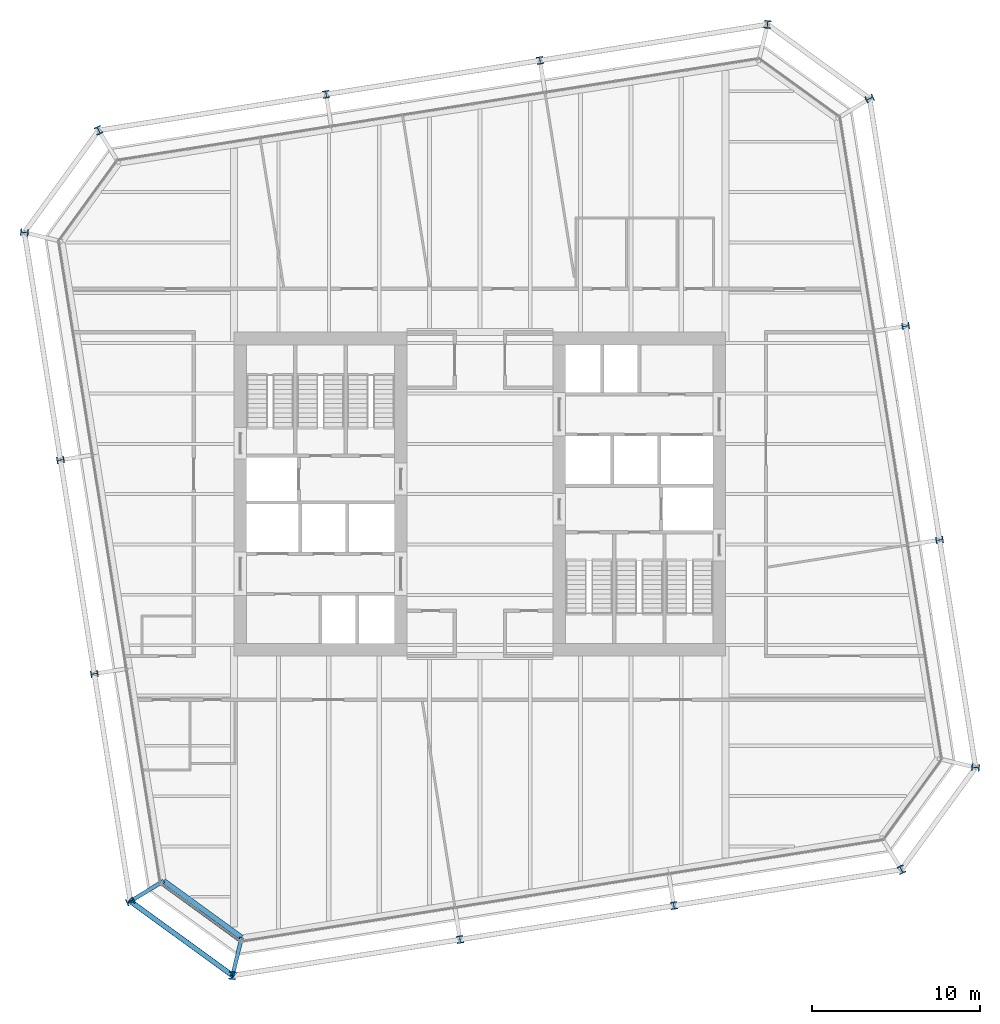
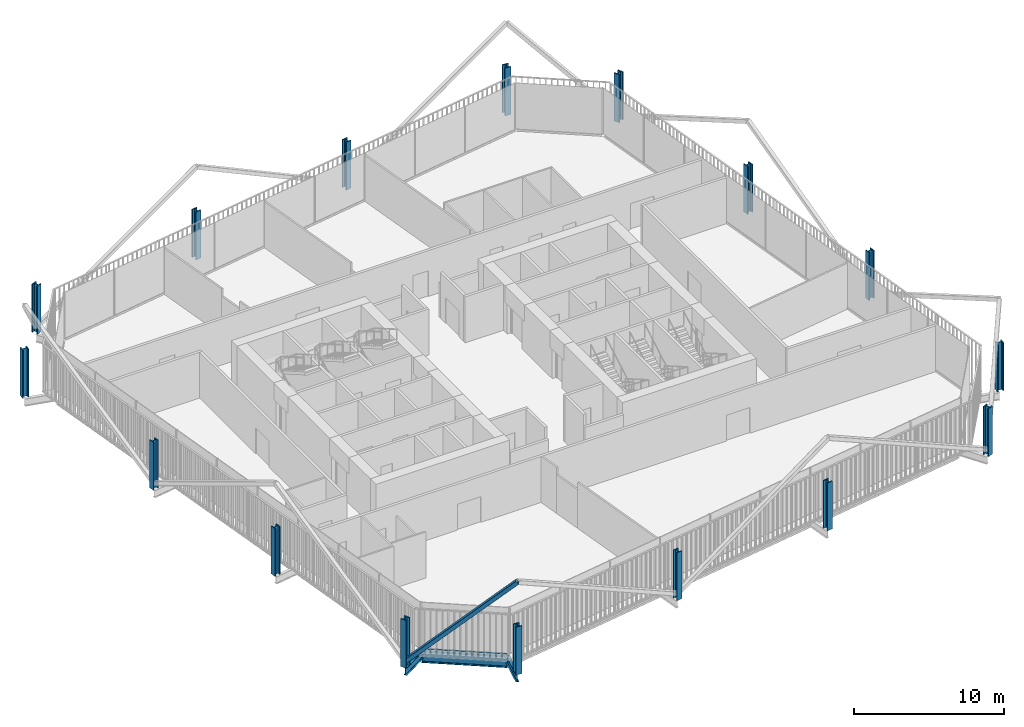
# One storey, part 1 of 22: 16 columns, 3 beams, 2 members, 1 element without a shape of its own.
"""IFC4 building model written with IfcOpenShell, lengths in metres."""

from ifc_helpers import new_model, si_unit, direction, frame, origin, origin_2d, place, context, subcontext, project, spatial, rectangle, hollow_rectangle, i_section, extrude, material, layer, layer_set, material_profile, profile_set, type_object, element, aggregate, save


model = new_model("IFC4")

# Units and contexts
model_context = context("Model", 3, precision=1e-05, world=origin(), true_north=direction((0.0, 1.0)))
body_context = subcontext(model_context, "Body", "Model", "MODEL_VIEW")
ifc_project = project(units=[si_unit("LENGTHUNIT", "METRE"), si_unit("AREAUNIT", "SQUARE_METRE"), si_unit("VOLUMEUNIT", "CUBIC_METRE"), si_unit("PLANEANGLEUNIT", "RADIAN"), si_unit("MASSUNIT", "GRAM", prefix="KILO")], contexts=[model_context])

# Site, building, storey
site_placement = place(None, origin())
site = spatial("IfcSite", under=ifc_project, at=site_placement, CompositionType="ELEMENT")
building_placement = place(site_placement, origin())
building = spatial("IfcBuilding", under=site, at=building_placement, Name="Millrace Tower", CompositionType="ELEMENT")
storey_placement = place(building_placement, frame((0.0, 0.0, 160.699951171875)))
storey = spatial("IfcBuildingStorey", under=building, at=storey_placement, Name="L36", CompositionType="ELEMENT", Elevation=160.699951171875)

# Columns
ifc_material_1 = material(Name="Steel ASTM A913 Grade 65", Category="steel")
ifc_material_profile_1 = material_profile(ifc_material_1, i_section(OverallWidth=0.419189453125, OverallDepth=0.45458984375, WebThickness=0.042236328125, FlangeThickness=0.067626953125, FilletRadius=0.01513671875, at=origin_2d()))
ifc_profile_set_1 = profile_set([ifc_material_profile_1], Name="Steel ASTM A913 Grade 65")
column_type_1 = type_object("IfcColumnType", Name="Exoskeleton column W14x370", PredefinedType="COLUMN", material=ifc_profile_set_1)
for number, where, z_axis, x_axis, name in (
    (1, (-1.181396484375, -26.545166015625, 0.0), (0.0, 0.0, 1.0), (0.987688339156, 0.156434474125, 0.0), "COL-C-L36-X03"),
    (2, (11.5595703125, -24.527099609375, 0.0), (0.0, 0.0, 1.0), (0.987688338239, 0.156434479917, 0.0), "COL-C-L36-X04"),
    (3, (27.39501953125, -2.7314453125, 0.0), (0.0, 0.0, 1.0), (-0.156434474125, 0.987688339156, 0.0), "COL-C-L36-X07"),
    (4, (25.376953125, 10.009765625, 0.0), (0.0, 0.0, 1.0), (-0.156434479917, 0.987688338239, 0.0), "COL-C-L36-X08"),
    (5, (3.58154296875, 25.844970703125, 0.0), (0.0, 0.0, 1.0), (-0.987688339156, -0.156434474125, 0.0), "COL-C-L36-X11"),
    (6, (-9.15966796875, 23.8271484375, 0.0), (0.0, 0.0, 1.0), (-0.987688338239, -0.156434479917, 0.0), "COL-C-L36-X12"),
    (7, (-24.9951171875, 2.031494140625, 0.0), (0.0, 0.0, 1.0), (0.156434474125, -0.987688339156, 0.0), "COL-C-L36-X15"),
    (8, (-22.97705078125, -10.709716796875, 0.0), (0.0, 0.0, 1.0), (0.156434479917, -0.987688338239, 0.0), "COL-C-L36-X16"),
):
    element("IfcColumn", number, at=place(storey_placement, frame(where, z_axis=z_axis, x_axis=x_axis)), inside=storey, type_object=column_type_1, Name=name, PredefinedType="COLUMN", context=body_context, shape_type="SweptSolid", body=[
        extrude(i_section(OverallWidth=0.419189453125, OverallDepth=0.45458984375, WebThickness=0.042236328125, FlangeThickness=0.067626953125, FilletRadius=0.01513671875, at=origin_2d()), origin(), (0.0, 0.0, 1.0), 3.900146484375),
    ])
ifc_material_2 = material(Name="Steel ASTM A913 Grade 65", Category="steel")
ifc_material_profile_2 = material_profile(ifc_material_2, i_section(OverallWidth=0.4267578125, OverallDepth=0.482666015625, WebThickness=0.05126953125, FlangeThickness=0.08154296875, FilletRadius=0.01513671875, at=origin_2d()))
ifc_profile_set_2 = profile_set([ifc_material_profile_2], Name="Steel ASTM A913 Grade 65")
column_type_2 = type_object("IfcColumnType", Name="Exoskeleton column W14x455", PredefinedType="COLUMN", material=ifc_profile_set_2)
for number, where, z_axis, x_axis, name in (
    (9, (-20.829345703125, -24.26904296875, 0.0), (0.0, 0.0, 1.0), (0.416401106568, -0.909181015227, 0.0), "COL-C-L36-X01"),
    (10, (-14.740966796875, -28.692626953125, 0.0), (0.0, 0.0, 1.0), (0.993357548409, -0.115068592665, 0.0), "COL-C-L36-X02"),
    (11, (25.119140625, -22.37939453125, 0.0), (0.0, 0.0, 1.0), (0.909181015227, 0.416401106568, 0.0), "COL-C-L36-X05"),
    (12, (29.542724609375, -16.291015625, 0.0), (0.0, 0.0, 1.0), (0.115068592665, 0.993357548409, 0.0), "COL-C-L36-X06"),
    (13, (23.2294921875, 23.569091796875, 0.0), (0.0, 0.0, 1.0), (-0.416401106568, 0.909181015227, 0.0), "COL-C-L36-X09"),
    (14, (17.140869140625, 27.99267578125, 0.0), (0.0, 0.0, 1.0), (-0.993357548409, 0.115068592665, 0.0), "COL-C-L36-X10"),
    (15, (-22.718994140625, 21.679443359375, 0.0), (0.0, 0.0, 1.0), (-0.909181015227, -0.416401106568, 0.0), "COL-C-L36-X13"),
    (16, (-27.142578125, 15.5908203125, 0.0), (0.0, 0.0, 1.0), (-0.115068592665, -0.993357548409, 0.0), "COL-C-L36-X14"),
):
    element("IfcColumn", number, at=place(storey_placement, frame(where, z_axis=z_axis, x_axis=x_axis)), inside=storey, type_object=column_type_2, Name=name, PredefinedType="COLUMN", context=body_context, shape_type="SweptSolid", body=[
        extrude(i_section(OverallWidth=0.4267578125, OverallDepth=0.482666015625, WebThickness=0.05126953125, FlangeThickness=0.08154296875, FilletRadius=0.01513671875, at=origin_2d()), origin(), (0.0, 0.0, 1.0), 3.900146484375),
    ])

# Curtain wall, member
ifc_material_3 = material(Name="Aluminium and glass", Category="aluminium")
ifc_layer = layer(ifc_material_3, 0.14990234375)
ifc_layer_set = layer_set([ifc_layer], Name="Aluminium and glass")
curtain_wall_type = type_object("IfcCurtainWallType", Name="CW-1 office vision curtain wall", PredefinedType="NOTDEFINED", material=ifc_layer_set)
curtain_wall_placement = place(storey_placement, origin())
curtain_wall = element("IfcCurtainWall", 17, at=curtain_wall_placement, inside=storey, type_object=curtain_wall_type, Name="Curtain wall C-F01 L36", PredefinedType="NOTDEFINED")
ifc_material_4 = material(Name="Aluminium", Category="aluminium")
ifc_material_profile_3 = material_profile(ifc_material_4, rectangle(XDim=0.14990234375, YDim=0.139892578125, at=origin_2d()))
ifc_profile_set_3 = profile_set([ifc_material_profile_3], Name="Aluminium")
member_type_1 = type_object("IfcMemberType", Name="CW-1 office vision curtain wall transom", PredefinedType="USERDEFINED", material=ifc_profile_set_3)
member_1_placement = place(storey_placement, frame((-18.94677734375, -23.25732421875, 0.070068359375), z_axis=(0.808998591139, -0.587810581339, 0.0), x_axis=(0.587810581339, 0.808998591139, 0.0)))
member_1 = element("IfcMember", 18, at=member_1_placement, type_object=member_type_1, Name="CW1 transom C-F01.1", ObjectType="TRANSOM", PredefinedType="USERDEFINED", context=body_context, shape_type="SweptSolid", body=[
    extrude(rectangle(XDim=0.14990234375, YDim=0.139892578125, at=origin_2d()), origin(), (0.0, 0.0, 1.0), 5.6689453125),
])
aggregate(curtain_wall, [member_1])

# Member
ifc_material_5 = material(Name="Steel ASTM A500 Grade C", Category="steel")
ifc_material_profile_4 = material_profile(ifc_material_5, hollow_rectangle(XDim=0.3046875, YDim=0.3046875, WallThickness=0.0126953125, InnerFilletRadius=0.00634765625, OuterFilletRadius=0.01904296875, at=origin_2d()))
ifc_profile_set_4 = profile_set([ifc_material_profile_4], Name="Steel ASTM A500 Grade C")
member_type_2 = type_object("IfcMemberType", Name="Exoskeleton brace HSS12x12x1/2", PredefinedType="BRACE", material=ifc_profile_set_4)
member_2_placement = place(storey_placement, frame((-20.829345703125, -24.26904296875, 0.400146484375), z_axis=(0.592372334541, -0.430395153162, 0.681069034243), x_axis=(0.587795495726, 0.809009551985, 0.0)))
element("IfcMember", 19, at=member_2_placement, inside=storey, type_object=member_type_2, Name="BRC-C-L36-01", PredefinedType="BRACE", context=body_context, shape_type="SweptSolid", body=[
    extrude(hollow_rectangle(XDim=0.3046875, YDim=0.3046875, WallThickness=0.0126953125, InnerFilletRadius=0.00634765625, OuterFilletRadius=0.01904296875, at=origin_2d()), origin(), (0.0, 0.0, 1.0), 10.278076171875),
])

# Beams
ifc_material_6 = material(Name="Steel ASTM A992 Grade 50", Category="steel")
ifc_material_profile_5 = material_profile(ifc_material_6, i_section(OverallWidth=0.23046875, OverallDepth=0.6171875, WebThickness=0.01318359375, FlangeThickness=0.022216796875, FilletRadius=0.012939453125, at=origin_2d()))
ifc_profile_set_5 = profile_set([ifc_material_profile_5], Name="Steel ASTM A992 Grade 50")
beam_type_1 = type_object("IfcBeamType", Name="Link beam W24x94", PredefinedType="BEAM", material=ifc_profile_set_5)
for number, where, z_axis, x_axis, name in (
    (20, (-18.841796875, -23.051025390625, -0.468505859375), (-0.852631355792, -0.522512938711, 0.0), (0.522512938711, -0.852631355792, 0.0), "LNK-C-L36-S1-01"),
    (21, (-14.19677734375, -26.426025390625, -0.468505859375), (-0.233456138164, -0.972367333652, 0.0), (0.972367333652, -0.233456138164, 0.0), "LNK-C-L36-S1-16"),
):
    element("IfcBeam", number, at=place(storey_placement, frame(where, z_axis=z_axis, x_axis=x_axis)), inside=storey, type_object=beam_type_1, Name=name, PredefinedType="BEAM", context=body_context, shape_type="SweptSolid", body=[
        extrude(i_section(OverallWidth=0.23046875, OverallDepth=0.6171875, WebThickness=0.01318359375, FlangeThickness=0.022216796875, FilletRadius=0.012939453125, at=origin_2d()), origin(), (0.0, 0.0, 1.0), 2.3310546875),
    ])
ifc_material_7 = material(Name="Steel ASTM A992 Grade 50", Category="steel")
ifc_material_profile_6 = material_profile(ifc_material_7, i_section(OverallWidth=0.307373046875, OverallDepth=0.927001953125, WebThickness=0.01953125, FlangeThickness=0.031982421875, FilletRadius=0.01904296875, at=origin_2d()))
ifc_profile_set_6 = profile_set([ifc_material_profile_6], Name="Steel ASTM A992 Grade 50")
beam_type_2 = type_object("IfcBeamType", Name="Ring beam short span W36x194", PredefinedType="SPANDREL", material=ifc_profile_set_6)
beam_placement = place(storey_placement, frame((-14.19677734375, -26.426025390625, -0.62353515625), z_axis=(-0.80900078054, 0.587807568074, 0.0), x_axis=(-0.587807568074, -0.80900078054, 0.0)))
element("IfcBeam", 22, at=beam_placement, inside=storey, type_object=beam_type_2, Name="RNG-C-L36-S1-16", PredefinedType="SPANDREL", context=body_context, shape_type="SweptSolid", body=[
    extrude(i_section(OverallWidth=0.307373046875, OverallDepth=0.927001953125, WebThickness=0.01953125, FlangeThickness=0.031982421875, FilletRadius=0.01904296875, at=origin_2d()), origin(), (0.0, 0.0, 1.0), 5.74169921875),
])

save(model, "model.ifc")
